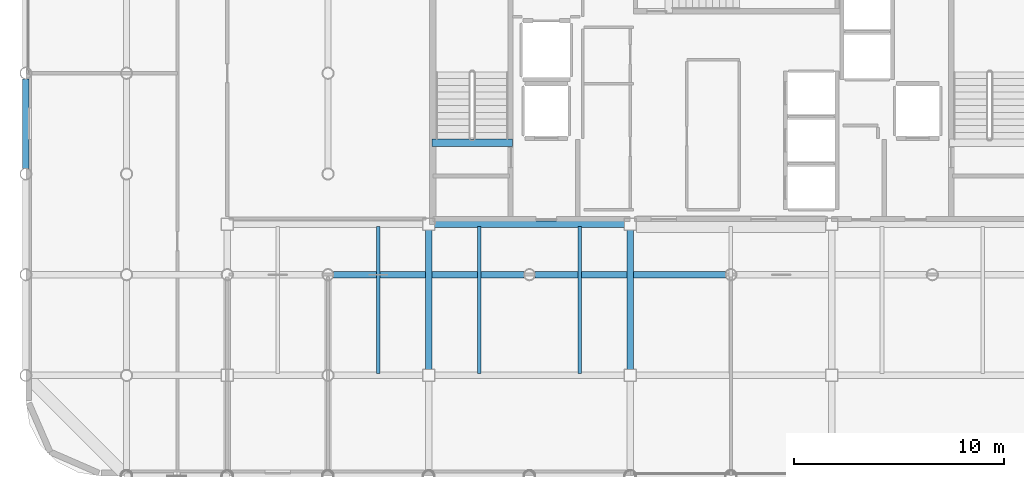
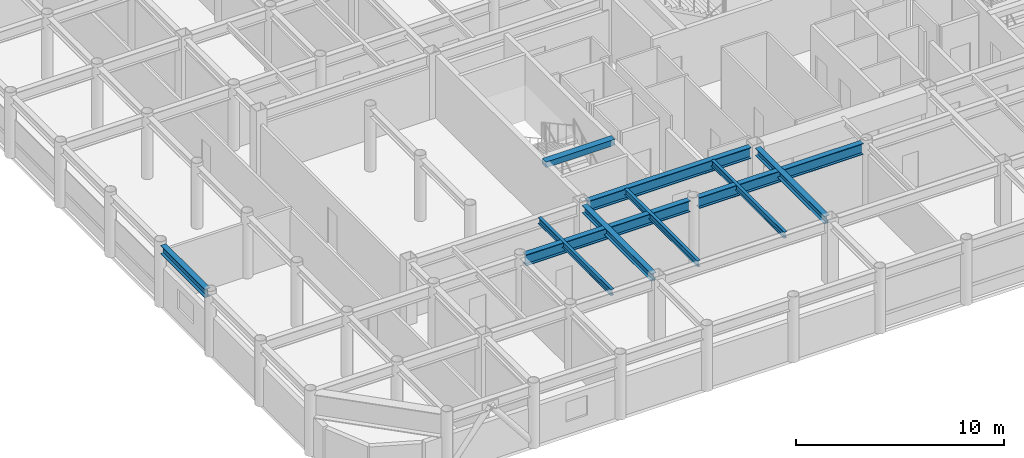
# One storey, part 5 of 21: 10 beams.
"""IFC4 building model written with IfcOpenShell, lengths in metres."""

import ifcopenshell
import ifcopenshell.guid

model = None  # the IFC model being written
_history = None  # IfcOwnerHistory: only IFC2X3 demands one
_inside = {}  # id of a spatial element -> (the spatial element, [elements in it])
_under = {}  # id of a project, library or spatial element -> (it, [spatial elements below it])
_declared = {}  # id of a project -> (the project, [libraries it declares])
_typed = {}  # id of a type object -> (the type object, [elements of that type])
_made_of = {}  # id of a material, layer set ... -> (it, [elements and type objects made of it])


def new_model(schema):
    """Start an empty IFC model of exactly this schema.

    Asked for "IFC4X3", IfcOpenShell would pick the latest addendum, in which some entities
    have other attributes; the version numbers below select the first issue.
    IFC2X3 requires an IfcOwnerHistory on every rooted entity: one is made here for all.
    """
    global model, _history
    if schema == "IFC4X3":
        model = ifcopenshell.file(schema_version=(4, 3, 0, 0))
    else:
        model = ifcopenshell.file(schema=schema)
    _inside.clear()
    _under.clear()
    _declared.clear()
    _typed.clear()
    _made_of.clear()
    _history = None
    if model.schema == "IFC2X3":
        org = make("IfcOrganization", Name="unknown")
        user = make(
            "IfcPersonAndOrganization",
            ThePerson=make("IfcPerson", FamilyName="unknown"),
            TheOrganization=org,
        )
        app = make(
            "IfcApplication",
            ApplicationDeveloper=org,
            Version="unknown",
            ApplicationFullName="unknown",
            ApplicationIdentifier="unknown",
        )
        _history = make(
            "IfcOwnerHistory",
            OwningUser=user,
            OwningApplication=app,
            ChangeAction="ADDED",
            CreationDate=0,
        )
    return model


def make(cls, **values):
    """One entity of the class cls with the attributes given. An attribute that is None is left unset."""
    return model.create_entity(
        cls, **{name: value for name, value in values.items() if value is not None}
    )


def rooted(cls, **values):
    """An entity with a GlobalId (a new one), such as an element, a storey or a relation."""
    return make(cls, GlobalId=ifcopenshell.guid.new(), OwnerHistory=_history, **values)


def si_unit(unit_type, name, prefix=None):
    """IfcSIUnit, for example si_unit("LENGTHUNIT", "METRE", prefix="MILLI")."""
    return make("IfcSIUnit", UnitType=unit_type, Prefix=prefix, Name=name)


def assignment(units):
    """IfcUnitAssignment: the units of a project."""
    return None if units is None else make("IfcUnitAssignment", Units=units)


def point(xyz):
    """IfcCartesianPoint."""
    return None if xyz is None else make("IfcCartesianPoint", Coordinates=xyz)


def direction(xyz):
    """IfcDirection."""
    return None if xyz is None else make("IfcDirection", DirectionRatios=xyz)


def frame(location, z_axis=None, x_axis=None):
    """IfcAxis2Placement3D, a coordinate frame: its origin and axes. An axis left out is left unset."""
    return make(
        "IfcAxis2Placement3D",
        Location=point(location),
        Axis=direction(z_axis),
        RefDirection=direction(x_axis),
    )


def frame_2d(location, x_axis=None):
    """IfcAxis2Placement2D, a coordinate frame in the plane: its origin and x axis."""
    return make(
        "IfcAxis2Placement2D", Location=point(location), RefDirection=direction(x_axis)
    )


def origin():
    """The frame at (0, 0, 0) with its axes left unset."""
    return frame((0.0, 0.0, 0.0))


def origin_2d():
    """The frame at (0, 0) in the plane with its x axis left unset."""
    return frame_2d((0.0, 0.0))


def place(relative_to, where):
    """IfcLocalPlacement: puts the frame where relative to a parent placement (None: the world)."""
    return make(
        "IfcLocalPlacement", PlacementRelTo=relative_to, RelativePlacement=where
    )


def context(
    kind, dimensions, precision=None, world=None, true_north=None, identifier=None
):
    """IfcGeometricRepresentationContext, for example the 3D "Model" context."""
    return make(
        "IfcGeometricRepresentationContext",
        ContextIdentifier=identifier,
        ContextType=kind,
        CoordinateSpaceDimension=dimensions,
        Precision=precision,
        WorldCoordinateSystem=world,
        TrueNorth=true_north,
    )


def subcontext(parent, identifier, kind, view, scale=None):
    """IfcGeometricRepresentationSubContext, for example "Body" below "Model"."""
    return make(
        "IfcGeometricRepresentationSubContext",
        ContextIdentifier=identifier,
        ContextType=kind,
        ParentContext=parent,
        TargetScale=scale,
        TargetView=view,
    )


def project(units=None, contexts=None):
    """IfcProject with its units and contexts."""
    return rooted(
        "IfcProject",
        Name="project",
        RepresentationContexts=contexts,
        UnitsInContext=assignment(units),
    )


def spatial(cls, under=None, at=None, **own):
    """A site, building, storey or space (cls), placed at a placement, below another one or the project."""
    s = rooted(cls, ObjectPlacement=at, **own)
    if under is not None:
        _under.setdefault(under.id(), (under, []))[1].append(s)
    return s


def profile(cls, at=None, kind="AREA", **sizes):
    """A parametric profile (cls). Its sizes go by their IFC names, for example OverallWidth=200.0."""
    return make(cls, ProfileType=kind, Position=at, **sizes)


def rectangle(**sizes):
    """IfcRectangleProfileDef."""
    return profile("IfcRectangleProfileDef", **sizes)


def i_section(**sizes):
    """IfcIShapeProfileDef."""
    return profile("IfcIShapeProfileDef", **sizes)


def extrude(swept, where, along, depth):
    """IfcExtrudedAreaSolid: the profile swept, set in the frame where, extruded along a direction by depth."""
    return make(
        "IfcExtrudedAreaSolid",
        SweptArea=swept,
        Position=where,
        ExtrudedDirection=direction(along),
        Depth=depth,
    )


def shape(context_of_items, identifier, shape_type, items):
    """IfcShapeRepresentation: the items that make up one representation, for example the "Body"."""
    return make(
        "IfcShapeRepresentation",
        ContextOfItems=context_of_items,
        RepresentationIdentifier=identifier,
        RepresentationType=shape_type,
        Items=items,
    )


def material(Name=None, Category=None):
    """IfcMaterial."""
    return make("IfcMaterial", Name=Name, Category=Category)


def material_profile(
    of_material, cross_section, Name=None, Category=None, Priority=None
):
    """IfcMaterialProfile: a cross section and its material."""
    return make(
        "IfcMaterialProfile",
        Name=Name,
        Material=of_material,
        Profile=cross_section,
        Priority=Priority,
        Category=Category,
    )


def profile_set(profiles, Name=None, composite=None):
    """IfcMaterialProfileSet."""
    return make(
        "IfcMaterialProfileSet",
        Name=Name,
        MaterialProfiles=profiles,
        CompositeProfile=composite,
    )


def made_of(thing, what):
    """Note that an element or type object is made of a material, layer set ...; save() writes the relation."""
    if what is not None:
        _made_of.setdefault(what.id(), (what, []))[1].append(thing)
    return thing


def type_object(cls, material=None, **own):
    """A type object (cls), such as IfcWallType, which elements share."""
    return made_of(rooted(cls, **own), material)


def element(
    cls,
    number,
    at=None,
    inside=None,
    cuts=None,
    type_object=None,
    material=None,
    context=None,
    identifier="Body",
    shape_type=None,
    held_by="IfcProductDefinitionShape",
    body=None,
    shapes=None,
    **own,
):
    """One element of the class cls, such as IfcWall. Its Tag is "e" and its number.

    at: its placement. inside: the storey or other place that contains it. cuts: it is an
    opening in that element (IfcRelVoidsElement). A single representation is given by context,
    identifier, shape_type and body (its items); several are given by shapes. held_by: the class
    of the entity that holds the representations. save() writes the other relations.
    """
    e = rooted(cls, Tag="e%d" % number, ObjectPlacement=at, **own)
    if body is not None:
        shapes = [shape(context, identifier, shape_type, body)]
    if shapes is not None:
        e.Representation = make(held_by, Representations=shapes)
    if inside is not None:
        _inside.setdefault(inside.id(), (inside, []))[1].append(e)
    if cuts is not None:
        rooted(
            "IfcRelVoidsElement", RelatingBuildingElement=cuts, RelatedOpeningElement=e
        )
    if type_object is not None:
        _typed.setdefault(type_object.id(), (type_object, []))[1].append(e)
    return made_of(e, material)


def aggregate(whole, parts):
    """IfcRelAggregates: a whole, such as a stair, and the parts it consists of."""
    return rooted("IfcRelAggregates", RelatingObject=whole, RelatedObjects=parts)


def save(model, path):
    """Write the relations noted so far, then the file.

    IfcRelAggregates (storeys below a building ...), IfcRelContainedInSpatialStructure (elements
    in a storey), IfcRelDefinesByType, IfcRelAssociatesMaterial and IfcRelDeclares: one each for
    every whole, place, type object, material and project.
    """
    for whole, parts in _under.values():
        aggregate(whole, parts)
    for where, things in _inside.values():
        rooted(
            "IfcRelContainedInSpatialStructure",
            RelatedElements=things,
            RelatingStructure=where,
        )
    for kind, things in _typed.values():
        rooted("IfcRelDefinesByType", RelatedObjects=things, RelatingType=kind)
    for what, things in _made_of.values():
        rooted("IfcRelAssociatesMaterial", RelatedObjects=things, RelatingMaterial=what)
    for by, libraries in _declared.values():
        rooted("IfcRelDeclares", RelatingContext=by, RelatedDefinitions=libraries)
    model.write(path)


model = new_model("IFC4")

# Units and contexts
model_context = context("Model", 3, precision=1e-05, world=origin(), true_north=direction((0.0, 1.0)))
body_context = subcontext(model_context, "Body", "Model", "MODEL_VIEW")
ifc_project = project(units=[si_unit("LENGTHUNIT", "METRE"), si_unit("AREAUNIT", "SQUARE_METRE"), si_unit("VOLUMEUNIT", "CUBIC_METRE"), si_unit("PLANEANGLEUNIT", "RADIAN"), si_unit("MASSUNIT", "GRAM", prefix="KILO")], contexts=[model_context])

# Site, building, storey
site_placement = place(None, origin())
site = spatial("IfcSite", under=ifc_project, at=site_placement, CompositionType="ELEMENT")
building_placement = place(site_placement, origin())
building = spatial("IfcBuilding", under=site, at=building_placement, Name="Kallvorn Hotel Tower", CompositionType="ELEMENT")
storey_placement = place(building_placement, frame((0.0, 0.0, 268.5)))
storey = spatial("IfcBuildingStorey", under=building, at=storey_placement, Name="L67", CompositionType="ELEMENT", Elevation=268.5)

# Beams
ifc_material_1 = material(Name="Structural steel S355JR", Category="steel")
ifc_material_profile_1 = material_profile(ifc_material_1, i_section(OverallWidth=0.300048828125, OverallDepth=0.43994140625, WebThickness=0.011474609375, FlangeThickness=0.02099609375, at=origin_2d()), Name="HE 450 A")
ifc_profile_set_1 = profile_set([ifc_material_profile_1], Name="Structural steel S355JR")
beam_type_1 = type_object("IfcBeamType", Name="BM_HE450A", PredefinedType="BEAM", material=ifc_profile_set_1)
for number, where, z_axis, x_axis, name in (
    (1, (-14.39990234375, -14.125, 3.449951171875), (0.0, 1.0, 0.0), (-1.0, 0.0, 0.0), "L68 Primary Y-Girder 99"),
    (2, (-4.800048828125, -14.125, 3.449951171875), (0.0, 1.0, 0.0), (-1.0, 0.0, 0.0), "L68 Primary Y-Girder 107"),
):
    element("IfcBeam", number, at=place(storey_placement, frame(where, z_axis=z_axis, x_axis=x_axis)), inside=storey, type_object=beam_type_1, Name=name, PredefinedType="BEAM", context=body_context, shape_type="SweptSolid", body=[
        extrude(i_section(OverallWidth=0.300048828125, OverallDepth=0.43994140625, WebThickness=0.011474609375, FlangeThickness=0.02099609375, at=origin_2d()), origin(), (0.0, 0.0, 1.0), 6.64990234375),
    ])
ifc_material_2 = material(Name="Structural steel S355JR", Category="steel")
ifc_material_profile_2 = material_profile(ifc_material_2, i_section(OverallWidth=0.300048828125, OverallDepth=0.5, WebThickness=0.014404296875, FlangeThickness=0.028076171875, at=origin_2d()), Name="HE 500 B")
ifc_profile_set_2 = profile_set([ifc_material_profile_2], Name="Structural steel S355JR")
beam_type_2 = type_object("IfcBeamType", Name="BM_HE500B", PredefinedType="SPANDREL", material=ifc_profile_set_2)
beam_1_placement = place(storey_placement, frame((-33.60009765625, -4.530517578125, 3.419921875), z_axis=(0.0, 1.0, 0.0), x_axis=(-1.0, 0.0, 0.0)))
element("IfcBeam", 3, at=beam_1_placement, inside=storey, type_object=beam_type_2, Name="L68 Perimeter Spandrel 176", PredefinedType="SPANDREL", context=body_context, shape_type="SweptSolid", body=[
    extrude(i_section(OverallWidth=0.300048828125, OverallDepth=0.5, WebThickness=0.014404296875, FlangeThickness=0.028076171875, at=origin_2d()), origin(), (0.0, 0.0, 1.0), 4.260986328125),
])
ifc_material_3 = material(Name="Structural steel S355JR", Category="steel")
ifc_material_profile_3 = material_profile(ifc_material_3, i_section(OverallWidth=0.300048828125, OverallDepth=0.64990234375, WebThickness=0.01611328125, FlangeThickness=0.031005859375, at=origin_2d()), Name="HE 650 B")
ifc_profile_set_3 = profile_set([ifc_material_profile_3], Name="Structural steel S355JR")
beam_type_3 = type_object("IfcBeamType", Name="BM_HE650B", PredefinedType="BEAM", material=ifc_profile_set_3)
for number, where, z_axis, x_axis, name in (
    (4, (-18.945556640625, -9.60009765625, 3.344970703125), (1.0, 0.0, 0.0), (0.0, 1.0, 0.0), "L68 Primary X-Girder 26"),
    (5, (-9.345458984375, -9.60009765625, 3.344970703125), (1.0, 0.0, 0.0), (0.0, 1.0, 0.0), "L68 Primary X-Girder 27"),
):
    element("IfcBeam", number, at=place(storey_placement, frame(where, z_axis=z_axis, x_axis=x_axis)), inside=storey, type_object=beam_type_3, Name=name, PredefinedType="BEAM", context=body_context, shape_type="SweptSolid", body=[
        extrude(i_section(OverallWidth=0.300048828125, OverallDepth=0.64990234375, WebThickness=0.01611328125, FlangeThickness=0.031005859375, at=origin_2d()), origin(), (0.0, 0.0, 1.0), 9.091064453125),
    ])
beam_2_placement = place(storey_placement, frame((-14.125, -7.199951171875, 3.344970703125), z_axis=(1.0, 0.0, 0.0), x_axis=(0.0, 1.0, 0.0)))
element("IfcBeam", 6, at=beam_2_placement, inside=storey, type_object=beam_type_3, Name="L68 Primary X-Girder 33", PredefinedType="BEAM", context=body_context, shape_type="SweptSolid", body=[
    extrude(i_section(OverallWidth=0.300048828125, OverallDepth=0.64990234375, WebThickness=0.01611328125, FlangeThickness=0.031005859375, at=origin_2d()), origin(), (0.0, 0.0, 1.0), 9.050048828125),
])
ifc_material_4 = material(Name="Structural steel S355JR", Category="steel")
ifc_material_profile_4 = material_profile(ifc_material_4, i_section(OverallWidth=0.169921875, OverallDepth=0.360107421875, WebThickness=0.008056640625, FlangeThickness=0.0126953125, at=origin_2d()), Name="IPE 360")
ifc_profile_set_4 = profile_set([ifc_material_profile_4], Name="Structural steel S355JR")
beam_type_4 = type_object("IfcBeamType", Name="BM_IPE360", PredefinedType="JOIST", material=ifc_profile_set_4)
for number, where, z_axis, x_axis, name in (
    (7, (-16.800048828125, -14.300048828125, 3.489990234375), (0.0, 1.0, 0.0), (-1.0, 0.0, 0.0), "L68 Secondary Composite Joist 194"),
    (8, (-12.0, -14.300048828125, 3.489990234375), (0.0, 1.0, 0.0), (-1.0, 0.0, 0.0), "L68 Secondary Composite Joist 196"),
    (9, (-7.199951171875, -14.300048828125, 3.489990234375), (0.0, 1.0, 0.0), (-1.0, 0.0, 0.0), "L68 Secondary Composite Joist 198"),
):
    element("IfcBeam", number, at=place(storey_placement, frame(where, z_axis=z_axis, x_axis=x_axis)), inside=storey, type_object=beam_type_4, Name=name, PredefinedType="JOIST", context=body_context, shape_type="SweptSolid", body=[
        extrude(i_section(OverallWidth=0.169921875, OverallDepth=0.360107421875, WebThickness=0.008056640625, FlangeThickness=0.0126953125, at=origin_2d()), origin(), (0.0, 0.0, 1.0), 7.0),
    ])
ifc_material_5 = material(Name="Concrete C50/60", Category="concrete")
ifc_material_profile_5 = material_profile(ifc_material_5, rectangle(XDim=0.360107421875, YDim=0.340087890625, at=origin_2d()), Name="RC 360x340")
ifc_profile_set_5 = profile_set([ifc_material_profile_5], Name="Concrete C50/60")
beam_type_5 = type_object("IfcBeamType", Name="BM_RC_400x360", PredefinedType="BEAM", material=ifc_profile_set_5)
beam_3_placement = place(storey_placement, frame((-10.419921875, -3.31005859375, 3.5), z_axis=(-1.0, 0.0, 0.0), x_axis=(0.0, -1.0, 0.0)))
element("IfcBeam", 10, at=beam_3_placement, inside=storey, type_object=beam_type_5, Name="L68 Stair ST1 Arrival Trimmer Beam", PredefinedType="BEAM", context=body_context, shape_type="SweptSolid", body=[
    extrude(rectangle(XDim=0.360107421875, YDim=0.340087890625, at=origin_2d()), origin(), (0.0, 0.0, 1.0), 3.820068359375),
])

save(model, "model.ifc")
